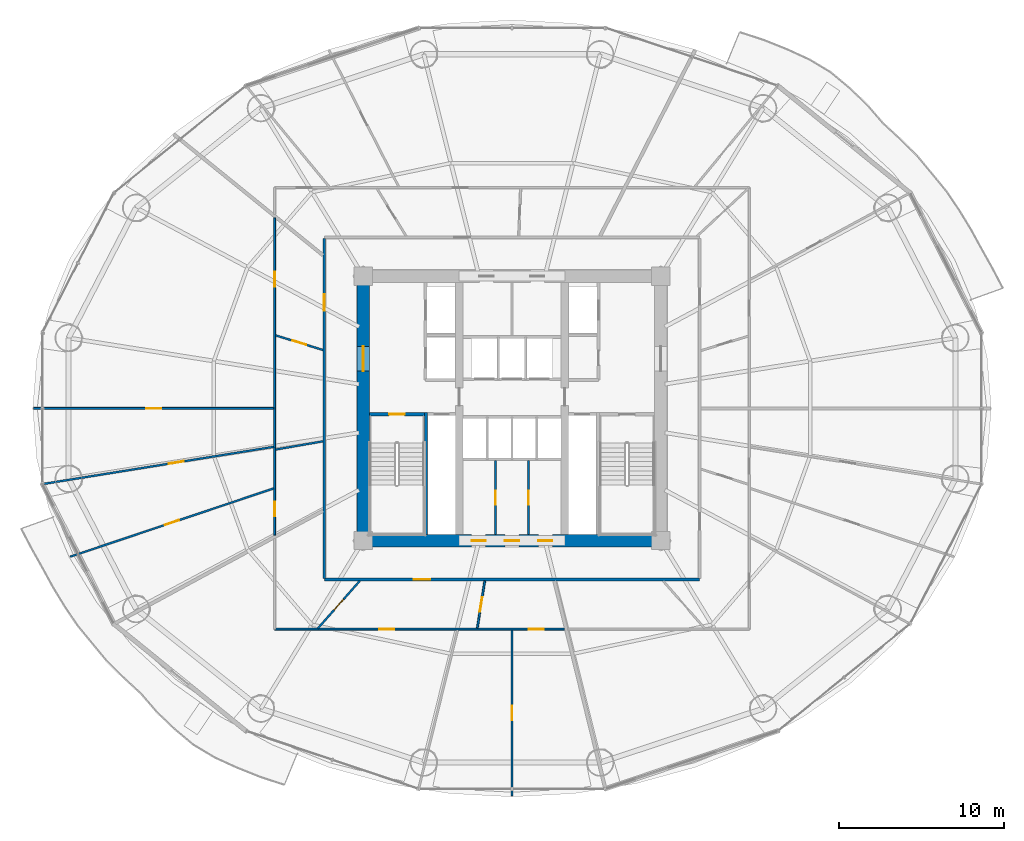
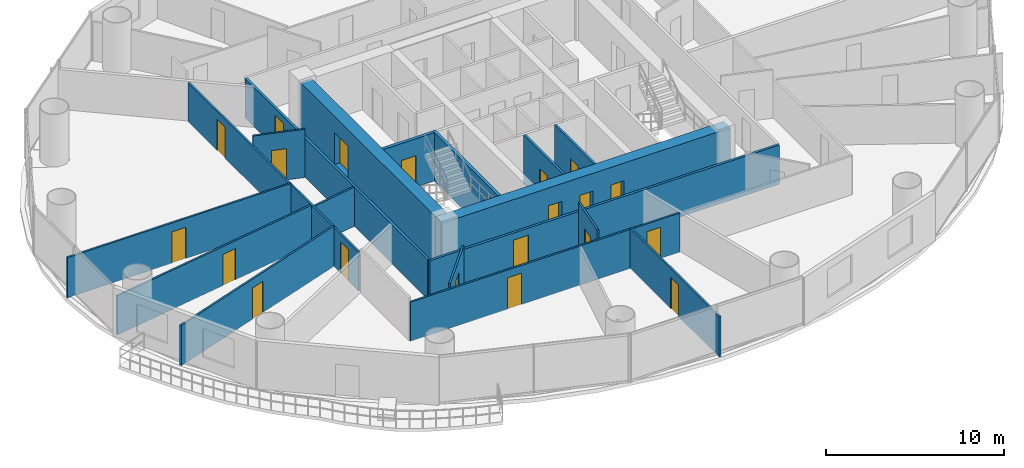
# One storey, part 22 of 29: 20 doors, 18 walls, 20 openings.
"""IFC4 building model written with IfcOpenShell, lengths in metres."""

from ifc_helpers import new_model, si_unit, direction, frame, frame_2d, origin, place, context, subcontext, project, spatial, rectangle, extrude, source, transform, mapped, material, layer, layer_set, type_object, element, fill, save


model = new_model("IFC4")

# Units and contexts
model_context = context("Model", 3, precision=1e-05, world=origin(), true_north=direction((-0.2419218956, 0.970295726276)))
body_context = subcontext(model_context, "Body", "Model", "MODEL_VIEW")
ifc_project = project(units=[si_unit("LENGTHUNIT", "METRE"), si_unit("AREAUNIT", "SQUARE_METRE"), si_unit("VOLUMEUNIT", "CUBIC_METRE"), si_unit("PLANEANGLEUNIT", "RADIAN"), si_unit("MASSUNIT", "GRAM", prefix="KILO")], contexts=[model_context])

# Site, building, storey
site_placement = place(None, origin())
site = spatial("IfcSite", under=ifc_project, at=site_placement, CompositionType="ELEMENT")
building_placement = place(site_placement, origin())
building = spatial("IfcBuilding", under=site, at=building_placement, Name="Cobrevalo Terracotta Tower", CompositionType="ELEMENT")
storey_placement = place(building_placement, frame((0.0, 0.0, 67.199951171875)))
storey = spatial("IfcBuildingStorey", under=building, at=storey_placement, Name="L17", CompositionType="ELEMENT", Elevation=67.199951171875)

# Wall, openings, doors
ifc_material_1 = material(Name="Concrete C60", Category="concrete")
ifc_layer_1 = layer(ifc_material_1, 0.75)
ifc_layer_set_1 = layer_set([ifc_layer_1], Name="Concrete C60")
wall_type_1 = type_object("IfcWallType", Name="Core shear wall 750 mm Concrete C60", PredefinedType="SHEAR", material=ifc_layer_set_1)
wall_1_placement = place(storey_placement, frame((28.625, 18.800048828125, 0.0), z_axis=(0.0, 0.0, 1.0), x_axis=(1.0, 0.0, 0.0)))
wall_1 = element("IfcWall", 1, at=wall_1_placement, inside=storey, type_object=wall_type_1, Name="L17 south core shear wall", PredefinedType="SHEAR", context=body_context, shape_type="SweptSolid", body=[
    extrude(rectangle(XDim=18.75, YDim=0.75, at=frame_2d((9.375, 0.0))), origin(), (0.0, 0.0, 1.0), 3.320068359375),
])
opening_1_placement = place(wall_1_placement, frame((6.927490234375, 0.0, 0.0)))
opening_1 = element("IfcOpeningElement", 2, at=opening_1_placement, cuts=wall_1, Name="Opening ID-22", PredefinedType="OPENING", context=body_context, shape_type="SweptSolid", body=[
    extrude(rectangle(XDim=0.85009765625, YDim=2.10009765625, at=frame_2d((0.425048828125, 1.050048828125))), frame((0.0, 0.385009765625, 0.0), z_axis=(0.0, -1.0, 0.0), x_axis=(1.0, 0.0, 0.0)), (0.0, 0.0, 1.0), 0.77001953125),
])
opening_2_placement = place(wall_1_placement, frame((8.949951171875, 0.0, 0.0)))
opening_2 = element("IfcOpeningElement", 3, at=opening_2_placement, cuts=wall_1, Name="Opening ID-22", PredefinedType="OPENING", context=body_context, shape_type="SweptSolid", body=[
    extrude(rectangle(XDim=0.85009765625, YDim=2.10009765625, at=frame_2d((0.425048828125, 1.050048828125))), frame((0.0, 0.385009765625, 0.0), z_axis=(0.0, -1.0, 0.0), x_axis=(1.0, 0.0, 0.0)), (0.0, 0.0, 1.0), 0.77001953125),
])
opening_3_placement = place(wall_1_placement, frame((10.972412109375, 0.0, 0.0)))
opening_3 = element("IfcOpeningElement", 4, at=opening_3_placement, cuts=wall_1, Name="Opening ID-22", PredefinedType="OPENING", context=body_context, shape_type="SweptSolid", body=[
    extrude(rectangle(XDim=0.85009765625, YDim=2.10009765625, at=frame_2d((0.425048828125, 1.050048828125))), frame((0.0, 0.385009765625, 0.0), z_axis=(0.0, -1.0, 0.0), x_axis=(1.0, 0.0, 0.0)), (0.0, 0.0, 1.0), 0.77001953125),
])
ifc_material_2 = material(Name="Powder-coated steel", Category="steel")
door_type_1 = type_object("IfcDoorType", Name="Riser shaft & meter closet fire access door 850x2100 EI 60", OperationType="NOTDEFINED", PredefinedType="DOOR", material=ifc_material_2)
shared_shape_1 = source(origin(), body_context, "Body", "SweptSolid", [
    extrude(rectangle(XDim=0.85009765625, YDim=2.10009765625, at=frame_2d((0.425048828125, 1.050048828125))), frame((0.0, 0.02490234375, 0.0), z_axis=(0.0, -1.0, 0.0), x_axis=(1.0, 0.0, 0.0)), (0.0, 0.0, 1.0), 0.050048828125),
])
door_1_placement = place(opening_1_placement, origin())
door_1 = element("IfcDoor", 5, at=door_1_placement, inside=storey, type_object=door_type_1, Name="L17 core south plant door HVAC Supply Air Plant", OperationType="SINGLE_SWING_RIGHT", OverallHeight=2.10009765625, OverallWidth=0.85009765625, PredefinedType="DOOR", context=body_context, shape_type="MappedRepresentation", body=[
    mapped(shared_shape_1, transform((0.0, 0.0, 0.0), scale=1.0)),
])
fill(opening_1, door_1)
door_2_placement = place(opening_2_placement, origin())
door_2 = element("IfcDoor", 6, at=door_2_placement, inside=storey, type_object=door_type_1, Name="L17 core south plant door Refuse Chute Store Room", OperationType="SINGLE_SWING_RIGHT", OverallHeight=2.10009765625, OverallWidth=0.85009765625, PredefinedType="DOOR", context=body_context, shape_type="MappedRepresentation", body=[
    mapped(shared_shape_1, transform((0.0, 0.0, 0.0), scale=1.0)),
])
fill(opening_2, door_2)
door_3_placement = place(opening_3_placement, origin())
door_3 = element("IfcDoor", 7, at=door_3_placement, inside=storey, type_object=door_type_1, Name="L17 core south plant door Hydronic Pump Manifold Plant", OperationType="SINGLE_SWING_RIGHT", OverallHeight=2.10009765625, OverallWidth=0.85009765625, PredefinedType="DOOR", context=body_context, shape_type="MappedRepresentation", body=[
    mapped(shared_shape_1, transform((0.0, 0.0, 0.0), scale=1.0)),
])
fill(opening_3, door_3)

# Wall, opening, door
wall_2_placement = place(storey_placement, frame((29.0, 19.175048828125, 0.0), z_axis=(0.0, 0.0, 1.0), x_axis=(0.0, 1.0, 0.0)))
wall_2 = element("IfcWall", 8, at=wall_2_placement, inside=storey, type_object=wall_type_1, Name="L17 west core shear wall", PredefinedType="SHEAR", context=body_context, shape_type="SweptSolid", body=[
    extrude(rectangle(XDim=15.25, YDim=0.75, at=frame_2d((7.625, 0.0))), origin(), (0.0, 0.0, 1.0), 3.320068359375),
])
opening_4_placement = place(wall_2_placement, frame((9.875, 0.0, 0.0)))
opening_4 = element("IfcOpeningElement", 9, at=opening_4_placement, cuts=wall_2, Name="Opening ID-14", PredefinedType="OPENING", context=body_context, shape_type="SweptSolid", body=[
    extrude(rectangle(XDim=1.5, YDim=2.199951171875, at=frame_2d((0.75, 1.10009765625))), frame((0.0, 0.385009765625, 0.0), z_axis=(0.0, -1.0, 0.0), x_axis=(1.0, 0.0, 0.0)), (0.0, 0.0, 1.0), 0.77001953125),
])
ifc_material_3 = material(Name="Galvanized fire-rated steel", Category="steel")
door_type_2 = type_object("IfcDoorType", Name="Core cross-lobby double fire door 1500x2200 EI 90", OperationType="NOTDEFINED", PredefinedType="DOOR", material=ifc_material_3)
shared_shape_2 = source(origin(), body_context, "Body", "SweptSolid", [
    extrude(rectangle(XDim=1.5, YDim=2.199951171875, at=frame_2d((0.75, 1.10009765625))), frame((0.0, 0.02490234375, 0.0), z_axis=(0.0, -1.0, 0.0), x_axis=(1.0, 0.0, 0.0)), (0.0, 0.0, 1.0), 0.050048828125),
])
door_4_placement = place(opening_4_placement, origin())
door_4 = element("IfcDoor", 10, at=door_4_placement, inside=storey, type_object=door_type_2, Name="L17 west firefighting lobby entrance door", OperationType="DOUBLE_DOOR_SINGLE_SWING", OverallHeight=2.199951171875, OverallWidth=1.5, PredefinedType="DOOR", context=body_context, shape_type="MappedRepresentation", body=[
    mapped(shared_shape_2, transform((0.0, 0.0, 0.0), scale=1.0)),
])
fill(opening_4, door_4)

ifc_material_4 = material(Name="Gypsum board on steel stud", Category="steel")
ifc_layer_2 = layer(ifc_material_4, 0.159912109375)
ifc_layer_set_2 = layer_set([ifc_layer_2], Name="Gypsum board on steel stud")
wall_type_2 = type_object("IfcWallType", Name="Fire-rated corridor acoustic partition wall 160 mm", PredefinedType="PARTITIONING", material=ifc_layer_set_2)
wall_3_placement = place(storey_placement, frame((26.64501953125, 16.445068359375, 0.0), z_axis=(0.0, 0.0, 1.0), x_axis=(1.0, 0.0, 0.0)))
wall_3 = element("IfcWall", 11, at=wall_3_placement, inside=storey, type_object=wall_type_2, Name="L17 interior partition IW-L17-COR-S", PredefinedType="PARTITIONING", context=body_context, shape_type="SweptSolid", body=[
    extrude(rectangle(XDim=22.7099609375, YDim=0.159912109375, at=frame_2d((11.35498046875, 0.0))), origin(), (0.0, 0.0, 1.0), 2.68798828125),
])
opening_5_placement = place(wall_3_placement, frame((5.419189453125, 0.0, 0.0)))
opening_5 = element("IfcOpeningElement", 12, at=opening_5_placement, cuts=wall_3, Name="Opening ID-05", PredefinedType="OPENING", context=body_context, shape_type="SweptSolid", body=[
    extrude(rectangle(XDim=0.97998046875, YDim=2.199951171875, at=frame_2d((0.489990234375, 1.10009765625))), frame((0.0, 0.08984375, 0.0), z_axis=(0.0, -1.0, 0.0), x_axis=(1.0, 0.0, 0.0)), (0.0, 0.0, 1.0), 0.179931640625),
])
ifc_material_5 = material(Name="Solid hardwood timber", Category="wood")
door_type_3 = type_object("IfcDoorType", Name="Residence entrance fire-rated acoustic timber door 980x2200 EI 60", OperationType="NOTDEFINED", PredefinedType="DOOR", material=ifc_material_5)
shared_shape_3 = source(origin(), body_context, "Body", "SweptSolid", [
    extrude(rectangle(XDim=0.97998046875, YDim=2.199951171875, at=frame_2d((0.489990234375, 1.10009765625))), frame((0.0, 0.02490234375, 0.0), z_axis=(0.0, -1.0, 0.0), x_axis=(1.0, 0.0, 0.0)), (0.0, 0.0, 1.0), 0.050048828125),
])
door_5_placement = place(opening_5_placement, frame((0.97998046875, 0.0, 0.0), z_axis=(0.0, 0.0, 1.0), x_axis=(-1.0, 0.0, 0.0)))
door_5 = element("IfcDoor", 13, at=door_5_placement, inside=storey, type_object=door_type_3, Name="Flat L17D fire-rated apartment entrance door", OperationType="SINGLE_SWING_RIGHT", OverallHeight=2.199951171875, OverallWidth=0.97998046875, PredefinedType="DOOR", context=body_context, shape_type="MappedRepresentation", body=[
    mapped(shared_shape_3, transform((0.0, 0.0, 0.0), scale=1.0)),
])
fill(opening_5, door_5)

wall_4_placement = place(storey_placement, frame((26.64501953125, 16.52490234375, 0.0), z_axis=(0.0, 0.0, 1.0), x_axis=(0.0, 1.0, 0.0)))
wall_4 = element("IfcWall", 14, at=wall_4_placement, inside=storey, type_object=wall_type_2, Name="L17 interior partition IW-L17-COR-W", PredefinedType="PARTITIONING", context=body_context, shape_type="SweptSolid", body=[
    extrude(rectangle(XDim=20.550048828125, YDim=0.159912109375, at=frame_2d((10.27490234375, 0.0))), origin(), (0.0, 0.0, 1.0), 2.68798828125),
])
opening_6_placement = place(wall_4_placement, frame((16.19873046875, 0.0, 0.0)))
opening_6 = element("IfcOpeningElement", 15, at=opening_6_placement, cuts=wall_4, Name="Opening ID-05", PredefinedType="OPENING", context=body_context, shape_type="SweptSolid", body=[
    extrude(rectangle(XDim=0.97998046875, YDim=2.199951171875, at=frame_2d((0.489990234375, 1.10009765625))), frame((0.0, 0.08984375, 0.0), z_axis=(0.0, -1.0, 0.0), x_axis=(1.0, 0.0, 0.0)), (0.0, 0.0, 1.0), 0.179931640625),
])
door_6_placement = place(opening_6_placement, origin())
door_6 = element("IfcDoor", 16, at=door_6_placement, inside=storey, type_object=door_type_3, Name="Flat L17C fire-rated apartment entrance door", OperationType="SINGLE_SWING_LEFT", OverallHeight=2.199951171875, OverallWidth=0.97998046875, PredefinedType="DOOR", context=body_context, shape_type="MappedRepresentation", body=[
    mapped(shared_shape_3, transform((0.0, 0.0, 0.0), scale=1.0)),
])
fill(opening_6, door_6)

ifc_material_6 = material(Name="Autoclaved aerated concrete block", Category="concrete")
ifc_layer_3 = layer(ifc_material_6, 0.139892578125)
ifc_layer_set_3 = layer_set([ifc_layer_3], Name="Autoclaved aerated concrete block")
wall_type_3 = type_object("IfcWallType", Name="Moisture-resistant wet-room & core service partition 140 mm", PredefinedType="PARTITIONING", material=ifc_layer_set_3)
wall_5_placement = place(storey_placement, frame((37.0, 19.175048828125, 0.0), z_axis=(0.0, 0.0, 1.0), x_axis=(0.0, 1.0, 0.0)))
wall_5 = element("IfcWall", 17, at=wall_5_placement, inside=storey, type_object=wall_type_3, Name="L17 interior partition IW-L17-KVS-V1", PredefinedType="PARTITIONING", context=body_context, shape_type="SweptSolid", body=[
    extrude(rectangle(XDim=4.46484375, YDim=0.139892578125, at=frame_2d((2.232421875, 0.0))), origin(), (0.0, 0.0, 1.0), 3.320068359375),
])
opening_7_placement = place(wall_5_placement, frame((1.8076171875, 0.0, 0.0)))
opening_7 = element("IfcOpeningElement", 18, at=opening_7_placement, cuts=wall_5, Name="Opening ID-22", PredefinedType="OPENING", context=body_context, shape_type="SweptSolid", body=[
    extrude(rectangle(XDim=0.85009765625, YDim=2.10009765625, at=frame_2d((0.425048828125, 1.050048828125))), frame((0.0, 0.080078125, 0.0), z_axis=(0.0, -1.0, 0.0), x_axis=(1.0, 0.0, 0.0)), (0.0, 0.0, 1.0), 0.159912109375),
])
door_7_placement = place(opening_7_placement, origin())
door_7 = element("IfcDoor", 19, at=door_7_placement, inside=storey, type_object=door_type_1, Name="L17 core KVS-V1 inner door", OperationType="SINGLE_SWING_LEFT", OverallHeight=2.10009765625, OverallWidth=0.85009765625, PredefinedType="DOOR", context=body_context, shape_type="MappedRepresentation", body=[
    mapped(shared_shape_1, transform((0.0, 0.0, 0.0), scale=1.0)),
])
fill(opening_7, door_7)

wall_6_placement = place(storey_placement, frame((39.0, 19.175048828125, 0.0), z_axis=(0.0, 0.0, 1.0), x_axis=(0.0, 1.0, 0.0)))
wall_6 = element("IfcWall", 20, at=wall_6_placement, inside=storey, type_object=wall_type_3, Name="L17 interior partition IW-L17-KVS-V2", PredefinedType="PARTITIONING", context=body_context, shape_type="SweptSolid", body=[
    extrude(rectangle(XDim=4.46484375, YDim=0.139892578125, at=frame_2d((2.232421875, 0.0))), origin(), (0.0, 0.0, 1.0), 3.320068359375),
])
opening_8_placement = place(wall_6_placement, frame((1.8076171875, 0.0, 0.0)))
opening_8 = element("IfcOpeningElement", 21, at=opening_8_placement, cuts=wall_6, Name="Opening ID-22", PredefinedType="OPENING", context=body_context, shape_type="SweptSolid", body=[
    extrude(rectangle(XDim=0.85009765625, YDim=2.10009765625, at=frame_2d((0.425048828125, 1.050048828125))), frame((0.0, 0.080078125, 0.0), z_axis=(0.0, -1.0, 0.0), x_axis=(1.0, 0.0, 0.0)), (0.0, 0.0, 1.0), 0.159912109375),
])
door_8_placement = place(opening_8_placement, origin())
door_8 = element("IfcDoor", 22, at=door_8_placement, inside=storey, type_object=door_type_1, Name="L17 core KVS-V2 inner door", OperationType="SINGLE_SWING_LEFT", OverallHeight=2.10009765625, OverallWidth=0.85009765625, PredefinedType="DOOR", context=body_context, shape_type="MappedRepresentation", body=[
    mapped(shared_shape_1, transform((0.0, 0.0, 0.0), scale=1.0)),
])
fill(opening_8, door_8)

# Wall, openings, doors
ifc_layer_4 = layer(ifc_material_4, 0.1201171875)
ifc_layer_set_4 = layer_set([ifc_layer_4], Name="Gypsum board on steel stud")
wall_type_4 = type_object("IfcWallType", Name="Residential internal acoustic stud partition 120 mm", PredefinedType="PARTITIONING", material=ifc_layer_set_4)
wall_7_placement = place(storey_placement, frame((23.64501953125, 19.12939453125, 0.0), z_axis=(0.0, 0.0, 1.0), x_axis=(0.0, 1.0, 0.0)))
wall_7 = element("IfcWall", 23, at=wall_7_placement, inside=storey, type_object=wall_type_4, Name="L17 interior partition IW-L17-U3-RING0_0", PredefinedType="PARTITIONING", context=body_context, shape_type="SweptSolid", body=[
    extrude(rectangle(XDim=19.201171875, YDim=0.1201171875, at=frame_2d((9.6005859375, 0.0))), origin(), (0.0, 0.0, 1.0), 2.68798828125),
])
opening_9_placement = place(wall_7_placement, frame((15.038330078125, 0.0, 0.0)))
opening_9 = element("IfcOpeningElement", 24, at=opening_9_placement, cuts=wall_7, Name="Opening ID-12", PredefinedType="OPENING", context=body_context, shape_type="SweptSolid", body=[
    extrude(rectangle(XDim=0.89990234375, YDim=2.14990234375, at=frame_2d((0.449951171875, 1.074951171875))), frame((0.0, 0.070068359375, 0.0), z_axis=(0.0, -1.0, 0.0), x_axis=(1.0, 0.0, 0.0)), (0.0, 0.0, 1.0), 0.14013671875),
])
opening_10_placement = place(wall_7_placement, frame((1.135986328125, 0.0, 0.0)))
opening_10 = element("IfcOpeningElement", 25, at=opening_10_placement, cuts=wall_7, Name="Opening ID-12", PredefinedType="OPENING", context=body_context, shape_type="SweptSolid", body=[
    extrude(rectangle(XDim=0.89990234375, YDim=2.14990234375, at=frame_2d((0.449951171875, 1.074951171875))), frame((0.0, 0.070068359375, 0.0), z_axis=(0.0, -1.0, 0.0), x_axis=(1.0, 0.0, 0.0)), (0.0, 0.0, 1.0), 0.14013671875),
])
ifc_material_7 = material(Name="Engineered timber", Category="wood")
door_type_4 = type_object("IfcDoorType", Name="Internal residence & suite timber door 900x2150", OperationType="NOTDEFINED", PredefinedType="DOOR", material=ifc_material_7)
shared_shape_4 = source(origin(), body_context, "Body", "SweptSolid", [
    extrude(rectangle(XDim=0.89990234375, YDim=2.14990234375, at=frame_2d((0.449951171875, 1.074951171875))), frame((0.0, 0.02490234375, 0.0), z_axis=(0.0, -1.0, 0.0), x_axis=(1.0, 0.0, 0.0)), (0.0, 0.0, 1.0), 0.050048828125),
])
door_9_placement = place(opening_9_placement, origin())
door_9 = element("IfcDoor", 26, at=door_9_placement, inside=storey, type_object=door_type_4, Name="Flat L17C Penthouse Living and Dining Room internal door", OperationType="SINGLE_SWING_LEFT", OverallHeight=2.14990234375, OverallWidth=0.89990234375, PredefinedType="DOOR", context=body_context, shape_type="MappedRepresentation", body=[
    mapped(shared_shape_4, transform((0.0, 0.0, 0.0), scale=1.0)),
])
fill(opening_9, door_9)
door_10_placement = place(opening_10_placement, frame((0.89990234375, 0.0, 0.0), z_axis=(0.0, 0.0, 1.0), x_axis=(-1.0, 0.0, 0.0)))
door_10 = element("IfcDoor", 27, at=door_10_placement, inside=storey, type_object=door_type_4, Name="Flat L17C Kitchen internal door", OperationType="SINGLE_SWING_LEFT", OverallHeight=2.14990234375, OverallWidth=0.89990234375, PredefinedType="DOOR", context=body_context, shape_type="MappedRepresentation", body=[
    mapped(shared_shape_4, transform((0.0, 0.0, 0.0), scale=1.0)),
])
fill(opening_10, door_10)

# Wall, opening, door
wall_8_placement = place(storey_placement, frame((23.5830078125, 26.800048828125, 0.0), z_axis=(0.0, 0.0, 1.0), x_axis=(-1.0, 0.0, 0.0)))
wall_8 = element("IfcWall", 28, at=wall_8_placement, inside=storey, type_object=wall_type_4, Name="L17 interior partition IW-L17-U3-ORAD1", PredefinedType="PARTITIONING", context=body_context, shape_type="SweptSolid", body=[
    extrude(rectangle(XDim=14.52294921875, YDim=0.1201171875, at=frame_2d((7.261474609375, 0.0))), origin(), (0.0, 0.0, 1.0), 2.761962890625),
])
opening_11_placement = place(wall_8_placement, frame((6.8115234375, 0.0, 0.0)))
opening_11 = element("IfcOpeningElement", 29, at=opening_11_placement, cuts=wall_8, Name="Opening ID-12", PredefinedType="OPENING", context=body_context, shape_type="SweptSolid", body=[
    extrude(rectangle(XDim=0.89990234375, YDim=2.14990234375, at=frame_2d((0.449951171875, 1.074951171875))), frame((0.0, 0.070068359375, 0.0), z_axis=(0.0, -1.0, 0.0), x_axis=(1.0, 0.0, 0.0)), (0.0, 0.0, 1.0), 0.14013671875),
])
door_11_placement = place(opening_11_placement, origin())
door_11 = element("IfcDoor", 30, at=door_11_placement, inside=storey, type_object=door_type_4, Name="Flat L17C Master Bedroom internal door", OperationType="SINGLE_SWING_RIGHT", OverallHeight=2.14990234375, OverallWidth=0.89990234375, PredefinedType="DOOR", context=body_context, shape_type="MappedRepresentation", body=[
    mapped(shared_shape_4, transform((0.0, 0.0, 0.0), scale=1.0)),
])
fill(opening_11, door_11)

wall_9_placement = place(storey_placement, frame((23.583740234375, 24.476318359375, 0.0), z_axis=(0.0, 0.0, 1.0), x_axis=(-0.987257727093, -0.159129445092, 0.0)))
wall_9 = element("IfcWall", 31, at=wall_9_placement, inside=storey, type_object=wall_type_4, Name="L17 interior partition IW-L17-U3-ORAD2M1", PredefinedType="PARTITIONING", context=body_context, shape_type="SweptSolid", body=[
    extrude(rectangle(XDim=14.085693359375, YDim=0.1201171875, at=frame_2d((7.04296875, 0.0))), origin(), (0.0, 0.0, 1.0), 2.68798828125),
])
opening_12_placement = place(wall_9_placement, frame((5.52294921875, 0.0, 0.0)))
opening_12 = element("IfcOpeningElement", 32, at=opening_12_placement, cuts=wall_9, Name="Opening ID-12", PredefinedType="OPENING", context=body_context, shape_type="SweptSolid", body=[
    extrude(rectangle(XDim=0.89990234375, YDim=2.14990234375, at=frame_2d((0.449951171875, 1.074951171875))), frame((0.0, 0.070068359375, 0.0), z_axis=(0.0, -1.0, 0.0), x_axis=(1.0, 0.0, 0.0)), (0.0, 0.0, 1.0), 0.14013671875),
])
door_12_placement = place(opening_12_placement, origin())
door_12 = element("IfcDoor", 33, at=door_12_placement, inside=storey, type_object=door_type_4, Name="Flat L17C Penthouse Family Lounge internal door", OperationType="SINGLE_SWING_LEFT", OverallHeight=2.14990234375, OverallWidth=0.89990234375, PredefinedType="DOOR", context=body_context, shape_type="MappedRepresentation", body=[
    mapped(shared_shape_4, transform((0.0, 0.0, 0.0), scale=1.0)),
])
fill(opening_12, door_12)

wall_10_placement = place(storey_placement, frame((23.586181640625, 21.9619140625, 0.0), z_axis=(0.0, 0.0, 1.0), x_axis=(-0.948021751459, -0.318205529118, 0.0)))
wall_10 = element("IfcWall", 34, at=wall_10_placement, inside=storey, type_object=wall_type_4, Name="L17 interior partition IW-L17-U3-ORAD2M2", PredefinedType="PARTITIONING", context=body_context, shape_type="SweptSolid", body=[
    extrude(rectangle(XDim=12.993896484375, YDim=0.1201171875, at=frame_2d((6.4970703125, 0.0))), origin(), (0.0, 0.0, 1.0), 2.761962890625),
])
opening_13_placement = place(wall_10_placement, frame((6.047119140625, 0.0, 0.0)))
opening_13 = element("IfcOpeningElement", 35, at=opening_13_placement, cuts=wall_10, Name="Opening ID-12", PredefinedType="OPENING", context=body_context, shape_type="SweptSolid", body=[
    extrude(rectangle(XDim=0.89990234375, YDim=2.14990234375, at=frame_2d((0.449951171875, 1.074951171875))), frame((0.0, 0.070068359375, 0.0), z_axis=(0.0, -1.0, 0.0), x_axis=(1.0, 0.0, 0.0)), (0.0, 0.0, 1.0), 0.14013671875),
])
door_13_placement = place(opening_13_placement, origin())
door_13 = element("IfcDoor", 36, at=door_13_placement, inside=storey, type_object=door_type_4, Name="Flat L17C Penthouse Family Lounge internal door", OperationType="SINGLE_SWING_RIGHT", OverallHeight=2.14990234375, OverallWidth=0.89990234375, PredefinedType="DOOR", context=body_context, shape_type="MappedRepresentation", body=[
    mapped(shared_shape_4, transform((0.0, 0.0, 0.0), scale=1.0)),
])
fill(opening_13, door_13)

wall_11_placement = place(storey_placement, frame((26.56494140625, 30.333984375, 0.0), z_axis=(0.0, 0.0, 1.0), x_axis=(-0.955416861585, 0.295260259093, 0.0)))
wall_11 = element("IfcWall", 37, at=wall_11_placement, inside=storey, type_object=wall_type_4, Name="L17 interior partition IW-L17-U3-IRAD1", PredefinedType="PARTITIONING", context=body_context, shape_type="SweptSolid", body=[
    extrude(rectangle(XDim=2.994140625, YDim=0.1201171875, at=frame_2d((1.4970703125, 0.0))), origin(), (0.0, 0.0, 1.0), 3.320068359375),
])
opening_14_placement = place(wall_11_placement, frame((1.067138671875, 0.0, 0.0)))
opening_14 = element("IfcOpeningElement", 38, at=opening_14_placement, cuts=wall_11, Name="Opening ID-19", PredefinedType="OPENING", context=body_context, shape_type="SweptSolid", body=[
    extrude(rectangle(XDim=0.860107421875, YDim=2.14990234375, at=frame_2d((0.43017578125, 1.074951171875))), frame((0.0, 0.070068359375, 0.0), z_axis=(0.0, -1.0, 0.0), x_axis=(1.0, 0.0, 0.0)), (0.0, 0.0, 1.0), 0.14013671875),
])
ifc_material_8 = material(Name="Moisture-sealed timber", Category="wood")
door_type_5 = type_object("IfcDoorType", Name="Suite bathroom internal timber door 860x2150", OperationType="NOTDEFINED", PredefinedType="DOOR", material=ifc_material_8)
shared_shape_5 = source(origin(), body_context, "Body", "SweptSolid", [
    extrude(rectangle(XDim=0.860107421875, YDim=2.14990234375, at=frame_2d((0.43017578125, 1.074951171875))), frame((0.0, 0.02490234375, 0.0), z_axis=(0.0, -1.0, 0.0), x_axis=(1.0, 0.0, 0.0)), (0.0, 0.0, 1.0), 0.050048828125),
])
door_14_placement = place(opening_14_placement, origin())
door_14 = element("IfcDoor", 39, at=door_14_placement, inside=storey, type_object=door_type_5, Name="Flat L17C Primary Bathroom internal door", OperationType="SINGLE_SWING_RIGHT", OverallHeight=2.14990234375, OverallWidth=0.860107421875, PredefinedType="DOOR", context=body_context, shape_type="MappedRepresentation", body=[
    mapped(shared_shape_5, transform((0.0, 0.0, 0.0), scale=1.0)),
])
fill(opening_14, door_14)

# Wall
wall_12_placement = place(storey_placement, frame((26.56494140625, 24.809814453125, 0.0), z_axis=(0.0, 0.0, 1.0), x_axis=(-0.985190752909, -0.171461891924, 0.0)))
element("IfcWall", 40, at=wall_12_placement, inside=storey, type_object=wall_type_4, Name="L17 interior partition IW-L17-U3-IRAD2", PredefinedType="PARTITIONING", context=body_context, shape_type="SweptSolid", body=[
    extrude(rectangle(XDim=2.90185546875, YDim=0.1201171875, at=frame_2d((1.450927734375, 0.0))), origin(), (0.0, 0.0, 1.0), 2.68798828125),
])

# Wall, openings, doors
wall_13_placement = place(storey_placement, frame((41.17626953125, 13.445068359375, 0.0), z_axis=(0.0, 0.0, 1.0), x_axis=(-1.0, 0.0, 0.0)))
wall_13 = element("IfcWall", 41, at=wall_13_placement, inside=storey, type_object=wall_type_4, Name="L17 interior partition IW-L17-U4-RING0_0", PredefinedType="PARTITIONING", context=body_context, shape_type="SweptSolid", body=[
    extrude(rectangle(XDim=17.53125, YDim=0.1201171875, at=frame_2d((8.765625, 0.0))), origin(), (0.0, 0.0, 1.0), 2.68798828125),
])
opening_15_placement = place(wall_13_placement, frame((10.298828125, 0.0, 0.0)))
opening_15 = element("IfcOpeningElement", 42, at=opening_15_placement, cuts=wall_13, Name="Opening ID-12", PredefinedType="OPENING", context=body_context, shape_type="SweptSolid", body=[
    extrude(rectangle(XDim=0.89990234375, YDim=2.14990234375, at=frame_2d((0.449951171875, 1.074951171875))), frame((0.0, 0.070068359375, 0.0), z_axis=(0.0, -1.0, 0.0), x_axis=(1.0, 0.0, 0.0)), (0.0, 0.0, 1.0), 0.14013671875),
])
opening_16_placement = place(wall_13_placement, frame((1.258056640625, 0.0, 0.0)))
opening_16 = element("IfcOpeningElement", 43, at=opening_16_placement, cuts=wall_13, Name="Opening ID-12", PredefinedType="OPENING", context=body_context, shape_type="SweptSolid", body=[
    extrude(rectangle(XDim=0.89990234375, YDim=2.14990234375, at=frame_2d((0.449951171875, 1.074951171875))), frame((0.0, 0.070068359375, 0.0), z_axis=(0.0, -1.0, 0.0), x_axis=(1.0, 0.0, 0.0)), (0.0, 0.0, 1.0), 0.14013671875),
])
door_15_placement = place(opening_15_placement, origin())
door_15 = element("IfcDoor", 44, at=door_15_placement, inside=storey, type_object=door_type_4, Name="Flat L17D Penthouse Living and Dining Room internal door", OperationType="SINGLE_SWING_RIGHT", OverallHeight=2.14990234375, OverallWidth=0.89990234375, PredefinedType="DOOR", context=body_context, shape_type="MappedRepresentation", body=[
    mapped(shared_shape_4, transform((0.0, 0.0, 0.0), scale=1.0)),
])
fill(opening_15, door_15)
door_16_placement = place(opening_16_placement, origin())
door_16 = element("IfcDoor", 45, at=door_16_placement, inside=storey, type_object=door_type_4, Name="Flat L17D Penthouse Family Lounge internal door", OperationType="SINGLE_SWING_RIGHT", OverallHeight=2.14990234375, OverallWidth=0.89990234375, PredefinedType="DOOR", context=body_context, shape_type="MappedRepresentation", body=[
    mapped(shared_shape_4, transform((0.0, 0.0, 0.0), scale=1.0)),
])
fill(opening_16, door_16)

# Wall, opening, door
wall_14_placement = place(storey_placement, frame((38.0, 13.383056640625, 0.0), z_axis=(0.0, 0.0, 1.0), x_axis=(0.0, -1.0, 0.0)))
wall_14 = element("IfcWall", 46, at=wall_14_placement, inside=storey, type_object=wall_type_4, Name="L17 interior partition IW-L17-U4-ORAD2M1", PredefinedType="PARTITIONING", context=body_context, shape_type="SweptSolid", body=[
    extrude(rectangle(XDim=10.02294921875, YDim=0.1201171875, at=frame_2d((5.011474609375, 0.0))), origin(), (0.0, 0.0, 1.0), 2.761962890625),
])
opening_17_placement = place(wall_14_placement, frame((4.5615234375, 0.0, 0.0)))
opening_17 = element("IfcOpeningElement", 47, at=opening_17_placement, cuts=wall_14, Name="Opening ID-12", PredefinedType="OPENING", context=body_context, shape_type="SweptSolid", body=[
    extrude(rectangle(XDim=0.89990234375, YDim=2.14990234375, at=frame_2d((0.449951171875, 1.074951171875))), frame((0.0, 0.070068359375, 0.0), z_axis=(0.0, -1.0, 0.0), x_axis=(1.0, 0.0, 0.0)), (0.0, 0.0, 1.0), 0.14013671875),
])
door_17_placement = place(opening_17_placement, frame((0.89990234375, 0.0, 0.0), z_axis=(0.0, 0.0, 1.0), x_axis=(-1.0, 0.0, 0.0)))
door_17 = element("IfcDoor", 48, at=door_17_placement, inside=storey, type_object=door_type_4, Name="Flat L17D Master Bedroom internal door", OperationType="SINGLE_SWING_LEFT", OverallHeight=2.14990234375, OverallWidth=0.89990234375, PredefinedType="DOOR", context=body_context, shape_type="MappedRepresentation", body=[
    mapped(shared_shape_4, transform((0.0, 0.0, 0.0), scale=1.0)),
])
fill(opening_17, door_17)

wall_15_placement = place(storey_placement, frame((28.790283203125, 16.364990234375, 0.0), z_axis=(0.0, 0.0, 1.0), x_axis=(-0.661718545222, -0.749752337048, 0.0)))
wall_15 = element("IfcWall", 49, at=wall_15_placement, inside=storey, type_object=wall_type_4, Name="L17 interior partition IW-L17-U4-IRAD1", PredefinedType="PARTITIONING", context=body_context, shape_type="SweptSolid", body=[
    extrude(rectangle(XDim=3.832763671875, YDim=0.1201171875, at=frame_2d((1.91650390625, 0.0))), origin(), (0.0, 0.0, 1.0), 2.9990234375),
])
opening_18_placement = place(wall_15_placement, frame((1.486328125, 0.0, 0.0)))
opening_18 = element("IfcOpeningElement", 50, at=opening_18_placement, cuts=wall_15, Name="Opening ID-19", PredefinedType="OPENING", context=body_context, shape_type="SweptSolid", body=[
    extrude(rectangle(XDim=0.860107421875, YDim=2.14990234375, at=frame_2d((0.43017578125, 1.074951171875))), frame((0.0, 0.070068359375, 0.0), z_axis=(0.0, -1.0, 0.0), x_axis=(1.0, 0.0, 0.0)), (0.0, 0.0, 1.0), 0.14013671875),
])
door_18_placement = place(opening_18_placement, frame((0.860107421875, 0.0, 0.0), z_axis=(0.0, 0.0, 1.0), x_axis=(-1.0, 0.0, 0.0)))
door_18 = element("IfcDoor", 51, at=door_18_placement, inside=storey, type_object=door_type_5, Name="Flat L17D Primary Bathroom internal door", OperationType="SINGLE_SWING_LEFT", OverallHeight=2.14990234375, OverallWidth=0.860107421875, PredefinedType="DOOR", context=body_context, shape_type="MappedRepresentation", body=[
    mapped(shared_shape_5, transform((0.0, 0.0, 0.0), scale=1.0)),
])
fill(opening_18, door_18)

wall_16_placement = place(storey_placement, frame((36.35302734375, 16.364990234375, 0.0), z_axis=(0.0, 0.0, 1.0), x_axis=(-0.155897593005, -0.987773223212, 0.0)))
wall_16 = element("IfcWall", 52, at=wall_16_placement, inside=storey, type_object=wall_type_4, Name="L17 interior partition IW-L17-U4-IRAD2", PredefinedType="PARTITIONING", context=body_context, shape_type="SweptSolid", body=[
    extrude(rectangle(XDim=2.89404296875, YDim=0.1201171875, at=frame_2d((1.447021484375, 0.0))), origin(), (0.0, 0.0, 1.0), 3.320068359375),
])
opening_19_placement = place(wall_16_placement, frame((0.9970703125, 0.0, 0.0)))
opening_19 = element("IfcOpeningElement", 53, at=opening_19_placement, cuts=wall_16, Name="Opening ID-12", PredefinedType="OPENING", context=body_context, shape_type="SweptSolid", body=[
    extrude(rectangle(XDim=0.89990234375, YDim=2.14990234375, at=frame_2d((0.449951171875, 1.074951171875))), frame((0.0, 0.070068359375, 0.0), z_axis=(0.0, -1.0, 0.0), x_axis=(1.0, 0.0, 0.0)), (0.0, 0.0, 1.0), 0.14013671875),
])
door_19_placement = place(opening_19_placement, origin())
door_19 = element("IfcDoor", 54, at=door_19_placement, inside=storey, type_object=door_type_4, Name="Flat L17D Kitchen internal door", OperationType="SINGLE_SWING_LEFT", OverallHeight=2.14990234375, OverallWidth=0.89990234375, PredefinedType="DOOR", context=body_context, shape_type="MappedRepresentation", body=[
    mapped(shared_shape_4, transform((0.0, 0.0, 0.0), scale=1.0)),
])
fill(opening_19, door_19)

# Wall
ifc_material_9 = material(Name="Concrete C50", Category="concrete")
ifc_layer_5 = layer(ifc_material_9, 0.199951171875)
ifc_layer_set_5 = layer_set([ifc_layer_5], Name="Concrete C50")
wall_type_5 = type_object("IfcWallType", Name="Structural core & podium stair-shaft RC wall 200 mm Concrete C50", PredefinedType="SOLIDWALL", material=ifc_layer_set_5)
wall_17_placement = place(storey_placement, frame((32.794921875, 19.175048828125, 0.0), z_axis=(0.0, 0.0, 1.0), x_axis=(0.0, 1.0, 0.0)))
element("IfcWall", 55, at=wall_17_placement, inside=storey, type_object=wall_type_5, Name="L17 ST-1 east structural shaft wall", PredefinedType="SOLIDWALL", context=body_context, shape_type="SweptSolid", body=[
    extrude(rectangle(XDim=7.375, YDim=0.199951171875, at=frame_2d((3.6875, 0.0))), origin(), (0.0, 0.0, 1.0), 3.320068359375),
])

# Wall, opening, door
wall_18_placement = place(storey_placement, frame((29.375, 26.449951171875, 0.0), z_axis=(0.0, 0.0, 1.0), x_axis=(1.0, 0.0, 0.0)))
wall_18 = element("IfcWall", 56, at=wall_18_placement, inside=storey, type_object=wall_type_5, Name="L17 ST-1 north structural shaft wall", PredefinedType="SOLIDWALL", context=body_context, shape_type="SweptSolid", body=[
    extrude(rectangle(XDim=3.320068359375, YDim=0.199951171875, at=frame_2d((1.66015625, 0.0))), origin(), (0.0, 0.0, 1.0), 3.320068359375),
])
opening_20_placement = place(wall_18_placement, frame((1.18505859375, 0.0, 0.0)))
opening_20 = element("IfcOpeningElement", 57, at=opening_20_placement, cuts=wall_18, Name="Opening ID-04", PredefinedType="OPENING", context=body_context, shape_type="SweptSolid", body=[
    extrude(rectangle(XDim=0.949951171875, YDim=2.14990234375, at=frame_2d((0.47509765625, 1.074951171875))), frame((0.0, 0.10986328125, 0.0), z_axis=(0.0, -1.0, 0.0), x_axis=(1.0, 0.0, 0.0)), (0.0, 0.0, 1.0), 0.219970703125),
])
door_type_6 = type_object("IfcDoorType", Name="Stair & firefighting lobby fire door 950x2150 EI 90", OperationType="NOTDEFINED", PredefinedType="DOOR", material=ifc_material_3)
shared_shape_6 = source(origin(), body_context, "Body", "SweptSolid", [
    extrude(rectangle(XDim=0.949951171875, YDim=2.14990234375, at=frame_2d((0.47509765625, 1.074951171875))), frame((0.0, 0.02490234375, 0.0), z_axis=(0.0, -1.0, 0.0), x_axis=(1.0, 0.0, 0.0)), (0.0, 0.0, 1.0), 0.050048828125),
])
door_20_placement = place(opening_20_placement, origin())
door_20 = element("IfcDoor", 58, at=door_20_placement, inside=storey, type_object=door_type_6, Name="L17 protected stair ST1 fire door", OperationType="SINGLE_SWING_LEFT", OverallHeight=2.14990234375, OverallWidth=0.949951171875, PredefinedType="DOOR", context=body_context, shape_type="MappedRepresentation", body=[
    mapped(shared_shape_6, transform((0.0, 0.0, 0.0), scale=1.0)),
])
fill(opening_20, door_20)

save(model, "model.ifc")
